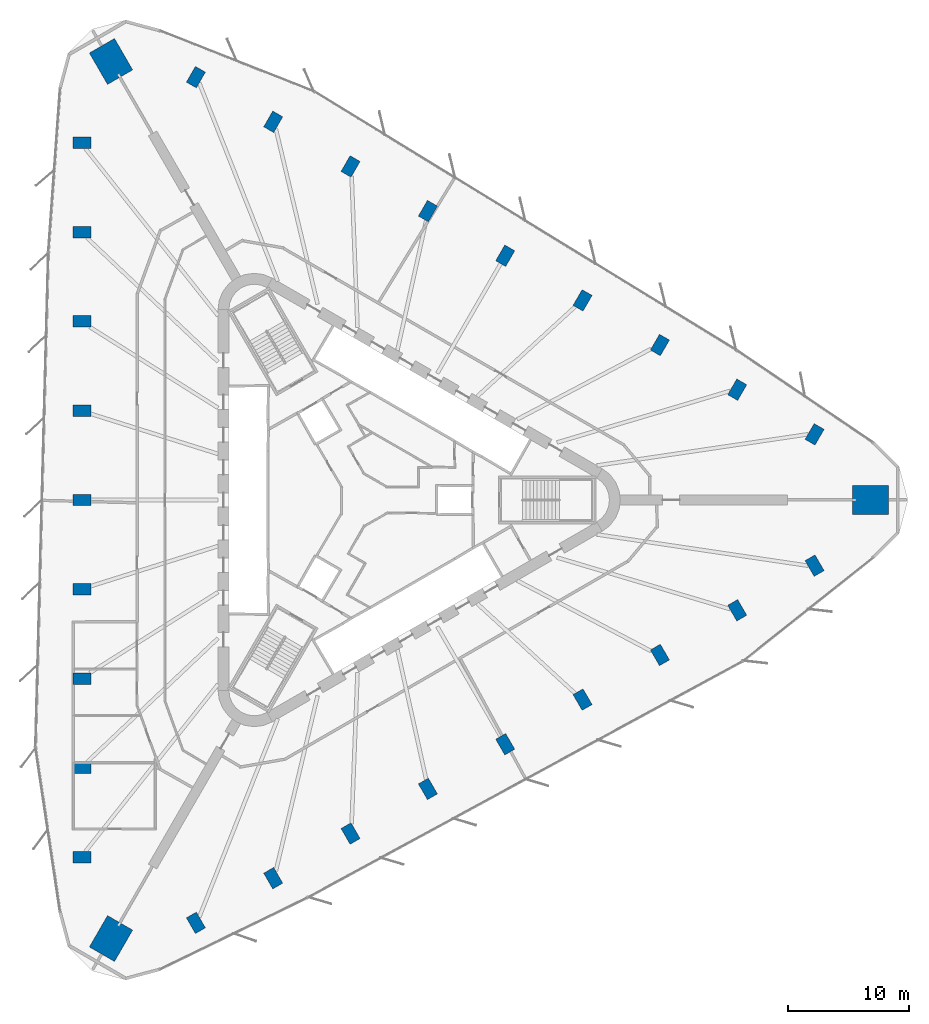
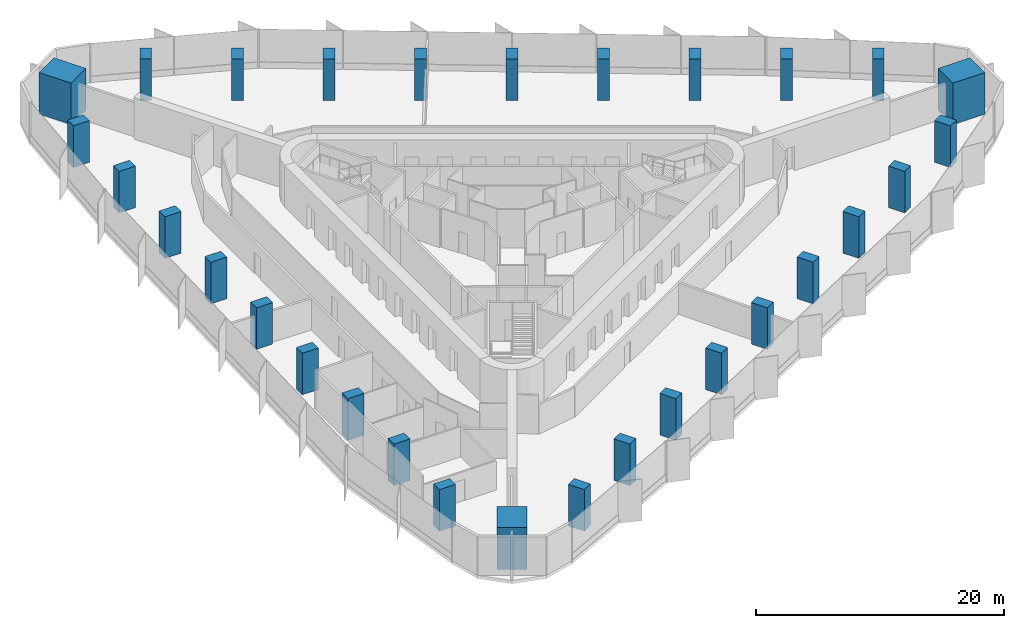
# One storey, part 1 of 13: 30 columns.
"""IFC4 building model written with IfcOpenShell, lengths in metres."""

from ifc_helpers import new_model, si_unit, direction, frame, origin, origin_2d, place, context, subcontext, project, spatial, rectangle, extrude, material, material_profile, profile_set, type_object, element, save


model = new_model("IFC4")

# Units and contexts
model_context = context("Model", 3, precision=1e-05, world=origin(), true_north=direction((0.0, 1.0)))
body_context = subcontext(model_context, "Body", "Model", "MODEL_VIEW")
ifc_project = project(units=[si_unit("LENGTHUNIT", "METRE"), si_unit("AREAUNIT", "SQUARE_METRE"), si_unit("VOLUMEUNIT", "CUBIC_METRE"), si_unit("PLANEANGLEUNIT", "RADIAN"), si_unit("MASSUNIT", "GRAM", prefix="KILO")], contexts=[model_context])

# Site, building, storey
site_placement = place(None, origin())
site = spatial("IfcSite", under=ifc_project, at=site_placement, CompositionType="ELEMENT")
building_placement = place(site_placement, origin())
building = spatial("IfcBuilding", under=site, at=building_placement, Name="Tanit Gate Tower", CompositionType="ELEMENT")
storey_placement = place(building_placement, frame((0.0, 0.0, 57.800048828125)))
storey = spatial("IfcBuildingStorey", under=building, at=storey_placement, Name="L10", CompositionType="ELEMENT", Elevation=57.800048828125)

# Columns
ifc_material_1 = material(Name="Concrete C70/85", Category="concrete")
ifc_material_profile_1 = material_profile(ifc_material_1, rectangle(XDim=3.0, YDim=2.39990234375, at=origin_2d()), Name="RC 3000x2400")
ifc_profile_set_1 = profile_set([ifc_material_profile_1], Name="Concrete C70/85")
column_type_1 = type_object("IfcColumnType", Name="MEGA COLUMN 3000x2400 C70/85", PredefinedType="COLUMN", material=ifc_profile_set_1)
for number, where, z_axis, x_axis, name in (
    (1, (41.91357421875, 0.0, 0.0), (0.0, 0.0, 1.0), (1.0, 0.0, 0.0), "MEGA COLUMN"),
    (2, (-20.956787109375, 36.29833984375, 0.0), (0.0, 0.0, 1.0), (-0.5, 0.866025403784, 0.0), "MEGA COLUMN"),
    (3, (-20.956787109375, -36.29833984375, 0.0), (0.0, 0.0, 1.0), (-0.5, -0.866025403784, 0.0), "MEGA COLUMN"),
):
    element("IfcColumn", number, at=place(storey_placement, frame(where, z_axis=z_axis, x_axis=x_axis)), inside=storey, type_object=column_type_1, Name=name, PredefinedType="COLUMN", context=body_context, shape_type="SweptSolid", body=[
        extrude(rectangle(XDim=3.0, YDim=2.39990234375, at=origin_2d()), origin(), (0.0, 0.0, 1.0), 4.099853515625),
    ])
ifc_material_2 = material(Name="Concrete C60/75", Category="concrete")
ifc_material_profile_2 = material_profile(ifc_material_2, rectangle(XDim=1.5, YDim=0.949951171875, at=origin_2d()), Name="RC 1500x950")
ifc_profile_set_2 = profile_set([ifc_material_profile_2], Name="Concrete C60/75")
column_type_2 = type_object("IfcColumnType", Name="PERIMETER COLUMN 1500x950 C60/75", PredefinedType="COLUMN", material=ifc_profile_set_2)
for number, where, z_axis, x_axis, name in (
    (4, (-23.344482421875, 29.56591796875, 0.0), (0.0, 0.0, 1.0), (-1.0, 0.0, 0.0), "PERIMETER COLUMN"),
    (5, (-23.344482421875, 22.17431640625, 0.0), (0.0, 0.0, 1.0), (-1.0, 0.0, 0.0), "PERIMETER COLUMN"),
    (6, (-23.344482421875, 14.782958984375, 0.0), (0.0, 0.0, 1.0), (-1.0, 0.0, 0.0), "PERIMETER COLUMN"),
    (7, (-23.344482421875, 7.391357421875, 0.0), (0.0, 0.0, 1.0), (-1.0, 0.0, 0.0), "PERIMETER COLUMN"),
    (8, (-23.344482421875, 0.0, 0.0), (0.0, 0.0, 1.0), (-1.0, 0.0, 0.0), "PERIMETER COLUMN"),
    (9, (-23.344482421875, -7.391357421875, 0.0), (0.0, 0.0, 1.0), (-1.0, 0.0, 0.0), "PERIMETER COLUMN"),
    (10, (-23.344482421875, -14.782958984375, 0.0), (0.0, 0.0, 1.0), (-1.0, 0.0, 0.0), "PERIMETER COLUMN"),
    (11, (-23.344482421875, -22.17431640625, 0.0), (0.0, 0.0, 1.0), (-1.0, 0.0, 0.0), "PERIMETER COLUMN"),
    (12, (-23.344482421875, -29.56591796875, 0.0), (0.0, 0.0, 1.0), (-1.0, 0.0, 0.0), "PERIMETER COLUMN"),
    (13, (37.277099609375, 5.43408203125, 0.0), (0.0, 0.0, 1.0), (0.5, 0.866025403784, 0.0), "PERIMETER COLUMN"),
    (14, (30.875732421875, 9.1298828125, 0.0), (0.0, 0.0, 1.0), (0.5, 0.866025403784, 0.0), "PERIMETER COLUMN"),
    (15, (24.474609375, 12.825439453125, 0.0), (0.0, 0.0, 1.0), (0.5, 0.866025403784, 0.0), "PERIMETER COLUMN"),
    (16, (18.073486328125, 16.521240234375, 0.0), (0.0, 0.0, 1.0), (0.5, 0.866025403784, 0.0), "PERIMETER COLUMN"),
    (17, (11.67236328125, 20.217041015625, 0.0), (0.0, 0.0, 1.0), (0.5, 0.866025403784, 0.0), "PERIMETER COLUMN"),
    (18, (5.27099609375, 23.91259765625, 0.0), (0.0, 0.0, 1.0), (0.5, 0.866025403784, 0.0), "PERIMETER COLUMN"),
    (19, (-1.130126953125, 27.6083984375, 0.0), (0.0, 0.0, 1.0), (0.5, 0.866025403784, 0.0), "PERIMETER COLUMN"),
    (20, (-7.53125, 31.30419921875, 0.0), (0.0, 0.0, 1.0), (0.5, 0.866025403784, 0.0), "PERIMETER COLUMN"),
    (21, (-13.9326171875, 35.0, 0.0), (0.0, 0.0, 1.0), (0.5, 0.866025403784, 0.0), "PERIMETER COLUMN"),
    (22, (-13.9326171875, -35.0, 0.0), (0.0, 0.0, 1.0), (0.5, -0.866025403784, 0.0), "PERIMETER COLUMN"),
    (23, (-7.53125, -31.30419921875, 0.0), (0.0, 0.0, 1.0), (0.5, -0.866025403784, 0.0), "PERIMETER COLUMN"),
    (24, (-1.130126953125, -27.6083984375, 0.0), (0.0, 0.0, 1.0), (0.5, -0.866025403784, 0.0), "PERIMETER COLUMN"),
    (25, (5.27099609375, -23.91259765625, 0.0), (0.0, 0.0, 1.0), (0.5, -0.866025403784, 0.0), "PERIMETER COLUMN"),
    (26, (11.67236328125, -20.217041015625, 0.0), (0.0, 0.0, 1.0), (0.5, -0.866025403784, 0.0), "PERIMETER COLUMN"),
    (27, (18.073486328125, -16.521240234375, 0.0), (0.0, 0.0, 1.0), (0.5, -0.866025403784, 0.0), "PERIMETER COLUMN"),
    (28, (24.474609375, -12.825439453125, 0.0), (0.0, 0.0, 1.0), (0.5, -0.866025403784, 0.0), "PERIMETER COLUMN"),
    (29, (30.875732421875, -9.1298828125, 0.0), (0.0, 0.0, 1.0), (0.5, -0.866025403784, 0.0), "PERIMETER COLUMN"),
    (30, (37.277099609375, -5.43408203125, 0.0), (0.0, 0.0, 1.0), (0.5, -0.866025403784, 0.0), "PERIMETER COLUMN"),
):
    element("IfcColumn", number, at=place(storey_placement, frame(where, z_axis=z_axis, x_axis=x_axis)), inside=storey, type_object=column_type_2, Name=name, PredefinedType="COLUMN", context=body_context, shape_type="SweptSolid", body=[
        extrude(rectangle(XDim=1.5, YDim=0.949951171875, at=origin_2d()), origin(), (0.0, 0.0, 1.0), 4.099853515625),
    ])

save(model, "model.ifc")
